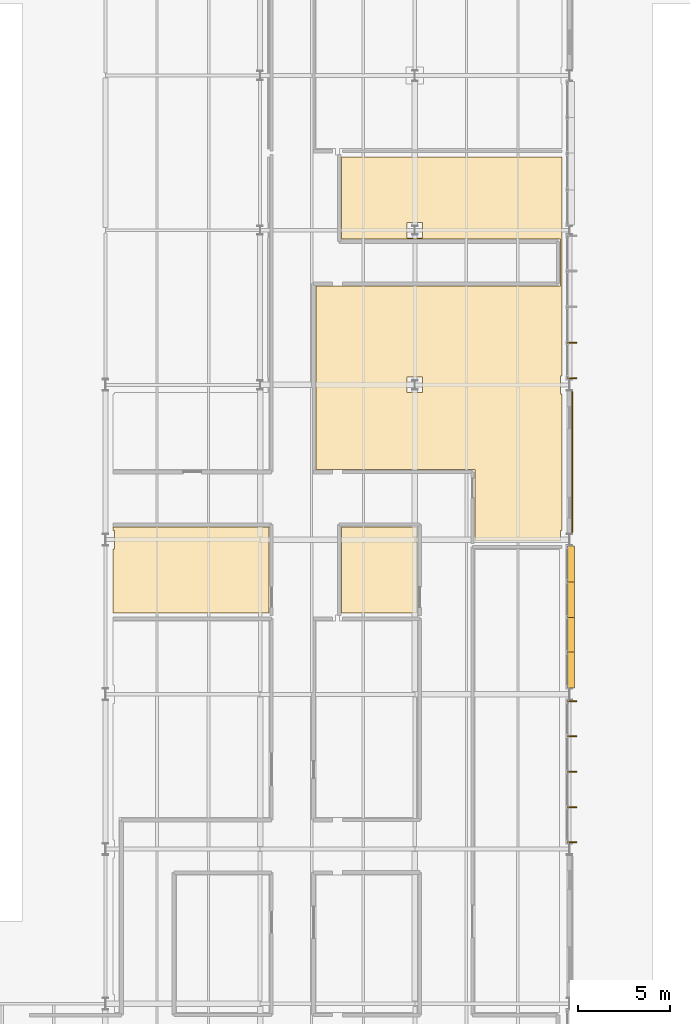
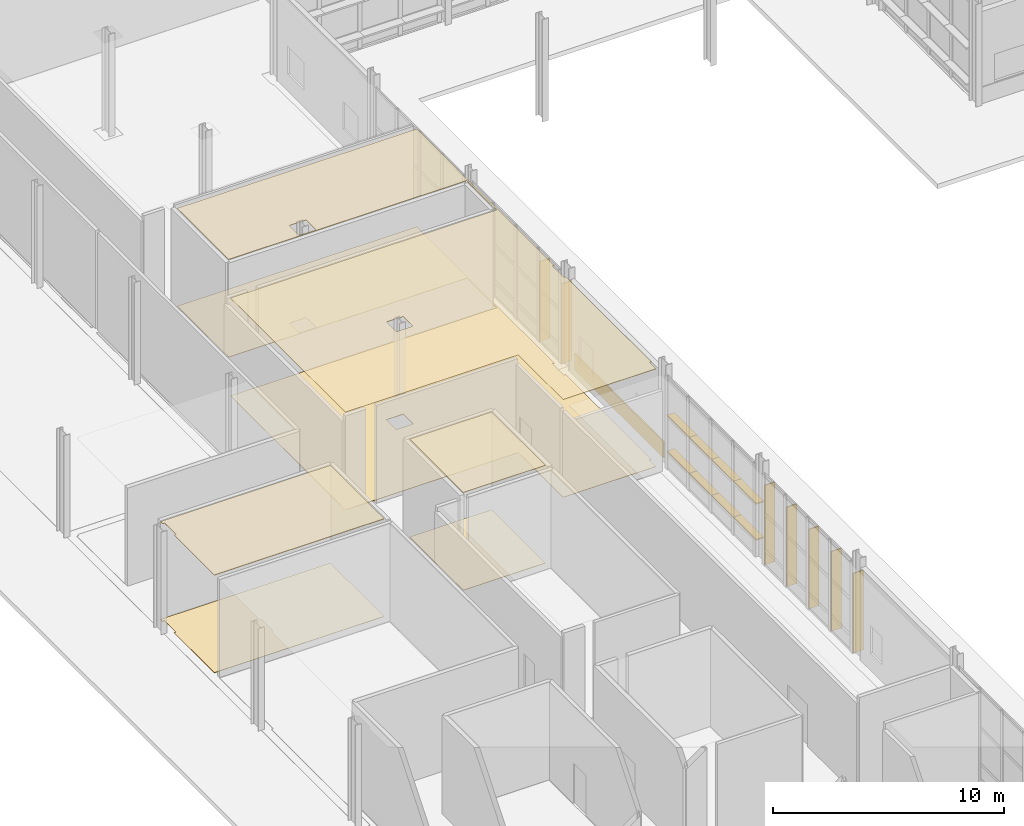
# One storey, part 113 of 124: 15 shading devices, 7 coverings.
"""IFC4 building model written with IfcOpenShell, lengths in metres."""

from ifc_helpers import new_model, si_unit, direction, frame, origin, origin_2d, place, context, subcontext, project, spatial, polyline, rectangle, outline, extrude, material, layer, layer_set, type_object, element, save


model = new_model("IFC4")

# Units and contexts
model_context = context("Model", 3, precision=1e-05, world=origin(), true_north=direction((0.0, 1.0)))
body_context = subcontext(model_context, "Body", "Model", "MODEL_VIEW")
ifc_project = project(units=[si_unit("LENGTHUNIT", "METRE"), si_unit("AREAUNIT", "SQUARE_METRE"), si_unit("VOLUMEUNIT", "CUBIC_METRE"), si_unit("PLANEANGLEUNIT", "RADIAN"), si_unit("MASSUNIT", "GRAM", prefix="KILO")], contexts=[model_context])

# Site, building, storey
site_placement = place(None, origin())
site = spatial("IfcSite", under=ifc_project, at=site_placement, CompositionType="ELEMENT")
building_placement = place(site_placement, origin())
building = spatial("IfcBuilding", under=site, at=building_placement, Name="Mersafa Astral City Hall", CompositionType="ELEMENT")
storey_placement = place(building_placement, origin())
storey = spatial("IfcBuildingStorey", under=building, at=storey_placement, Name="L00", CompositionType="ELEMENT", Elevation=0.0)

# Covering
ifc_material_1 = material(Name="Cairo Mokattam buff limestone cladding", Category="masonry")
ifc_layer_1 = layer(ifc_material_1, 0.06005859375, Name="Cairo Mokattam buff limestone cladding")
ifc_layer_set_1 = layer_set([ifc_layer_1], Name="Cairo Mokattam buff limestone cladding — ENV-COV-LIMESTONE-60")
covering_type_1 = type_object("IfcCoveringType", Name="ENV-COV-LIMESTONE-60", PredefinedType="CLADDING", material=ifc_layer_set_1)
covering_1_placement = place(storey_placement, frame((117.7470703125, 88.199951171875, 0.0), z_axis=(0.0, 0.0, 1.0), x_axis=(0.0, 1.0, 0.0)))
element("IfcCovering", 1, at=covering_1_placement, inside=storey, type_object=covering_type_1, Name="L00 Cairo buff limestone rainscreen cladding 18", PredefinedType="CLADDING", context=body_context, shape_type="SweptSolid", body=[
    extrude(rectangle(XDim=7.697998046875, YDim=0.06005859375, at=origin_2d()), origin(), (0.0, 0.0, 1.0), 0.860107421875),
])

# Shading devices
ifc_material_2 = material(Name="Anodised bronze aluminium solar fin", Category="aluminium")
shading_device_type_1 = type_object("IfcShadingDeviceType", Name="ENV-SHD-FIN-500B", PredefinedType="USERDEFINED", material=ifc_material_2)
for number, where, z_axis, x_axis, name in (
    (2, (117.7451171875, 67.56689453125, -0.01513671875), (0.0, 0.0, 1.0), (0.0, 1.0, 0.0), "L00 Vertical bronze solar fin 59"),
    (3, (117.7451171875, 69.468505859375, -0.01513671875), (0.0, 0.0, 1.0), (0.0, 1.0, 0.0), "L00 Vertical bronze solar fin 60"),
    (4, (117.7451171875, 71.39990234375, -0.01513671875), (0.0, 0.0, 1.0), (0.0, 1.0, 0.0), "L00 Vertical bronze solar fin 61"),
    (5, (117.7451171875, 73.33154296875, -0.01513671875), (0.0, 0.0, 1.0), (0.0, 1.0, 0.0), "L00 Vertical bronze solar fin 62"),
    (6, (117.7451171875, 75.23291015625, -0.01513671875), (0.0, 0.0, 1.0), (0.0, 1.0, 0.0), "L00 Vertical bronze solar fin 63"),
    (7, (117.7451171875, 92.76708984375, -0.01513671875), (0.0, 0.0, 1.0), (0.0, 1.0, 0.0), "L00 Vertical bronze solar fin 72"),
    (8, (117.7451171875, 94.687255859375, -0.01513671875), (0.0, 0.0, 1.0), (0.0, 1.0, 0.0), "L00 Vertical bronze solar fin 73"),
):
    element("IfcShadingDevice", number, at=place(storey_placement, frame(where, z_axis=z_axis, x_axis=x_axis)), inside=storey, type_object=shading_device_type_1, Name=name, ObjectType="FIN", PredefinedType="USERDEFINED", context=body_context, shape_type="SweptSolid", body=[
        extrude(rectangle(XDim=0.06005859375, YDim=0.5, at=origin_2d()), origin(), (0.0, 0.0, 1.0), 4.199951171875),
    ])
ifc_material_3 = material(Name="Kiln-dried cedar timber brise-soleil blade", Category="wood")
shading_device_type_2 = type_object("IfcShadingDeviceType", Name="ENV-SHD-LOUVRE-380", PredefinedType="JALOUSIE", material=ifc_material_3)
shading_device_1_placement = place(storey_placement, frame((117.679931640625, 76.917724609375, 0.81494140625), z_axis=(0.0, 0.0, 1.0), x_axis=(0.0, 1.0, 0.0)))
element("IfcShadingDevice", 9, at=shading_device_1_placement, inside=storey, type_object=shading_device_type_2, Name="L00 Horizontal cedar brise-soleil louvre 64", PredefinedType="JALOUSIE", context=body_context, shape_type="SweptSolid", body=[
    extrude(rectangle(XDim=1.94140625, YDim=0.3798828125, at=origin_2d()), origin(), (0.0, 0.0, 1.0), 0.070068359375),
])
for number, where, z_axis, x_axis, name in (
    (10, (117.679931640625, 78.834228515625, 0.81494140625), (0.0, 0.0, 1.0), (0.0, 1.0, 0.0), "L00 Horizontal cedar brise-soleil louvre 65"),
    (11, (117.679931640625, 80.765625, 0.81494140625), (0.0, 0.0, 1.0), (0.0, 1.0, 0.0), "L00 Horizontal cedar brise-soleil louvre 66"),
):
    element("IfcShadingDevice", number, at=place(storey_placement, frame(where, z_axis=z_axis, x_axis=x_axis)), inside=storey, type_object=shading_device_type_2, Name=name, PredefinedType="JALOUSIE", context=body_context, shape_type="SweptSolid", body=[
        extrude(rectangle(XDim=1.971435546875, YDim=0.3798828125, at=origin_2d()), origin(), (0.0, 0.0, 1.0), 0.070068359375),
    ])
for number, where, z_axis, x_axis, name in (
    (12, (117.679931640625, 82.68212890625, 0.81494140625), (0.0, 0.0, 1.0), (0.0, 1.0, 0.0), "L00 Horizontal cedar brise-soleil louvre 67"),
    (13, (117.679931640625, 76.917724609375, 2.71484375), (0.0, 0.0, 1.0), (0.0, 1.0, 0.0), "L00 Horizontal cedar brise-soleil louvre 68"),
):
    element("IfcShadingDevice", number, at=place(storey_placement, frame(where, z_axis=z_axis, x_axis=x_axis)), inside=storey, type_object=shading_device_type_2, Name=name, PredefinedType="JALOUSIE", context=body_context, shape_type="SweptSolid", body=[
        extrude(rectangle(XDim=1.94140625, YDim=0.3798828125, at=origin_2d()), origin(), (0.0, 0.0, 1.0), 0.070068359375),
    ])
for number, where, z_axis, x_axis, name in (
    (14, (117.679931640625, 78.834228515625, 2.71484375), (0.0, 0.0, 1.0), (0.0, 1.0, 0.0), "L00 Horizontal cedar brise-soleil louvre 69"),
    (15, (117.679931640625, 80.765625, 2.71484375), (0.0, 0.0, 1.0), (0.0, 1.0, 0.0), "L00 Horizontal cedar brise-soleil louvre 70"),
):
    element("IfcShadingDevice", number, at=place(storey_placement, frame(where, z_axis=z_axis, x_axis=x_axis)), inside=storey, type_object=shading_device_type_2, Name=name, PredefinedType="JALOUSIE", context=body_context, shape_type="SweptSolid", body=[
        extrude(rectangle(XDim=1.971435546875, YDim=0.3798828125, at=origin_2d()), origin(), (0.0, 0.0, 1.0), 0.070068359375),
    ])
shading_device_2_placement = place(storey_placement, frame((117.679931640625, 82.68212890625, 2.71484375), z_axis=(0.0, 0.0, 1.0), x_axis=(0.0, 1.0, 0.0)))
element("IfcShadingDevice", 16, at=shading_device_2_placement, inside=storey, type_object=shading_device_type_2, Name="L00 Horizontal cedar brise-soleil louvre 71", PredefinedType="JALOUSIE", context=body_context, shape_type="SweptSolid", body=[
    extrude(rectangle(XDim=1.94140625, YDim=0.3798828125, at=origin_2d()), origin(), (0.0, 0.0, 1.0), 0.070068359375),
])

# Coverings
ifc_material_4 = material(Name="Perforated acoustic gypsum board ceiling", Category="gypsum")
ifc_layer_2 = layer(ifc_material_4, 0.02490234375, Name="Perforated acoustic gypsum board ceiling")
ifc_layer_set_2 = layer_set([ifc_layer_2], Name="Perforated acoustic gypsum board ceiling — INT-COV-CEIL-25")
covering_type_2 = type_object("IfcCoveringType", Name="INT-COV-CEIL-25", PredefinedType="CEILING", material=ifc_layer_set_2)
covering_2_placement = place(storey_placement, frame((0.0, 0.0, 5.156005859375)))
element("IfcCovering", 17, at=covering_2_placement, inside=storey, type_object=covering_type_2, Name="L00 Public Hearings Auditorium L00-04 acoustic ceiling", PredefinedType="CEILING", context=body_context, shape_type="SweptSolid", body=[
    extrude(outline(polyline([(117.1201171875, 100.320068359375), (105.22998046875, 100.320068359375), (105.22998046875, 104.77001953125), (117.199951171875, 104.77001953125), (117.199951171875, 101.219970703125), (117.179931640625, 101.219970703125), (117.179931640625, 100.3798828125), (117.199951171875, 100.3798828125), (117.199951171875, 92.89501953125), (117.10498046875, 92.89501953125), (117.10498046875, 91.905029296875), (117.199951171875, 91.905029296875), (117.199951171875, 84.4951171875), (117.10498046875, 84.4951171875), (117.10498046875, 83.93994140625), (112.469970703125, 83.93994140625), (112.469970703125, 87.820068359375), (103.840087890625, 87.820068359375), (103.840087890625, 97.760009765625), (117.1201171875, 97.760009765625), (117.1201171875, 100.320068359375)]), holes=[polyline([(108.780029296875, 91.97998046875), (109.6201171875, 91.97998046875), (109.6201171875, 92.820068359375), (108.780029296875, 92.820068359375), (108.780029296875, 91.97998046875)]), polyline([(108.780029296875, 100.3798828125), (109.6201171875, 100.3798828125), (109.6201171875, 101.219970703125), (108.780029296875, 101.219970703125), (108.780029296875, 100.3798828125)])]), origin(), (0.0, 0.0, 1.0), 0.02490234375),
])
covering_3_placement = place(storey_placement, frame((0.0, 0.0, 5.156005859375)))
element("IfcCovering", 18, at=covering_3_placement, inside=storey, type_object=covering_type_2, Name="L00 Public Hearings Auditorium L00-32 acoustic ceiling", PredefinedType="CEILING", context=body_context, shape_type="SweptSolid", body=[
    extrude(outline(polyline([(105.22998046875, 80.030029296875), (105.22998046875, 84.679931640625), (109.330078125, 84.679931640625), (109.330078125, 80.030029296875), (105.22998046875, 80.030029296875)])), origin(), (0.0, 0.0, 1.0), 0.02490234375),
])
ifc_material_5 = material(Name="Slatted cedar timber acoustic baffle ceiling", Category="wood")
ifc_layer_3 = layer(ifc_material_5, 0.034912109375, Name="Slatted cedar timber acoustic baffle ceiling")
ifc_layer_set_3 = layer_set([ifc_layer_3], Name="Slatted cedar timber acoustic baffle ceiling — INT-COV-CEIL-35")
covering_type_3 = type_object("IfcCoveringType", Name="INT-COV-CEIL-35", PredefinedType="CEILING", material=ifc_layer_set_3)
covering_4_placement = place(storey_placement, frame((0.0, 0.0, 5.14599609375)))
element("IfcCovering", 19, at=covering_4_placement, inside=storey, type_object=covering_type_3, Name="L00 Municipal Licensing Counter Hall L00-22 acoustic ceiling", PredefinedType="CEILING", context=body_context, shape_type="SweptSolid", body=[
    extrude(outline(polyline([(92.89501953125, 83.5048828125), (92.89501953125, 84.4951171875), (92.800048828125, 84.4951171875), (92.800048828125, 84.679931640625), (101.280029296875, 84.679931640625), (101.280029296875, 80.030029296875), (92.800048828125, 80.030029296875), (92.800048828125, 83.5048828125), (92.89501953125, 83.5048828125)])), origin(), (0.0, 0.0, 1.0), 0.034912109375),
])
ifc_material_6 = material(Name="Honed Cairo limestone terrazzo flooring", Category="masonry")
ifc_layer_4 = layer(ifc_material_6, 0.02001953125, Name="Honed Cairo limestone terrazzo flooring")
ifc_layer_set_4 = layer_set([ifc_layer_4], Name="Honed Cairo limestone terrazzo flooring — INT-COV-FLR-20")
covering_type_4 = type_object("IfcCoveringType", Name="INT-COV-FLR-20", PredefinedType="FLOORING", material=ifc_layer_set_4)
covering_5_placement = place(storey_placement, frame((0.0, 0.0, -0.00146484375)))
element("IfcCovering", 20, at=covering_5_placement, inside=storey, type_object=covering_type_4, Name="L00 Public Hearings Auditorium L00-04 architectural flooring", PredefinedType="FLOORING", context=body_context, shape_type="SweptSolid", body=[
    extrude(outline(polyline([(117.1201171875, 100.320068359375), (105.22998046875, 100.320068359375), (105.22998046875, 104.77001953125), (117.199951171875, 104.77001953125), (117.199951171875, 101.219970703125), (117.179931640625, 101.219970703125), (117.179931640625, 100.3798828125), (117.199951171875, 100.3798828125), (117.199951171875, 92.89501953125), (117.10498046875, 92.89501953125), (117.10498046875, 91.905029296875), (117.199951171875, 91.905029296875), (117.199951171875, 84.4951171875), (117.10498046875, 84.4951171875), (117.10498046875, 83.93994140625), (112.469970703125, 83.93994140625), (112.469970703125, 87.820068359375), (103.840087890625, 87.820068359375), (103.840087890625, 97.760009765625), (117.1201171875, 97.760009765625), (117.1201171875, 100.320068359375)]), holes=[polyline([(108.780029296875, 91.97998046875), (109.6201171875, 91.97998046875), (109.6201171875, 92.820068359375), (108.780029296875, 92.820068359375), (108.780029296875, 91.97998046875)]), polyline([(108.780029296875, 100.3798828125), (109.6201171875, 100.3798828125), (109.6201171875, 101.219970703125), (108.780029296875, 101.219970703125), (108.780029296875, 100.3798828125)])]), origin(), (0.0, 0.0, 1.0), 0.02001953125),
])
covering_6_placement = place(storey_placement, frame((0.0, 0.0, -0.00146484375)))
element("IfcCovering", 21, at=covering_6_placement, inside=storey, type_object=covering_type_4, Name="L00 Municipal Licensing Counter Hall L00-22 architectural flooring", PredefinedType="FLOORING", context=body_context, shape_type="SweptSolid", body=[
    extrude(outline(polyline([(92.89501953125, 83.5048828125), (92.89501953125, 84.4951171875), (92.800048828125, 84.4951171875), (92.800048828125, 84.679931640625), (101.280029296875, 84.679931640625), (101.280029296875, 80.030029296875), (92.800048828125, 80.030029296875), (92.800048828125, 83.5048828125), (92.89501953125, 83.5048828125)])), origin(), (0.0, 0.0, 1.0), 0.02001953125),
])
covering_7_placement = place(storey_placement, frame((0.0, 0.0, -0.00146484375)))
element("IfcCovering", 22, at=covering_7_placement, inside=storey, type_object=covering_type_4, Name="L00 Public Hearings Auditorium L00-32 architectural flooring", PredefinedType="FLOORING", context=body_context, shape_type="SweptSolid", body=[
    extrude(outline(polyline([(105.22998046875, 80.030029296875), (105.22998046875, 84.679931640625), (109.330078125, 84.679931640625), (109.330078125, 80.030029296875), (105.22998046875, 80.030029296875)])), origin(), (0.0, 0.0, 1.0), 0.02001953125),
])

save(model, "model.ifc")
